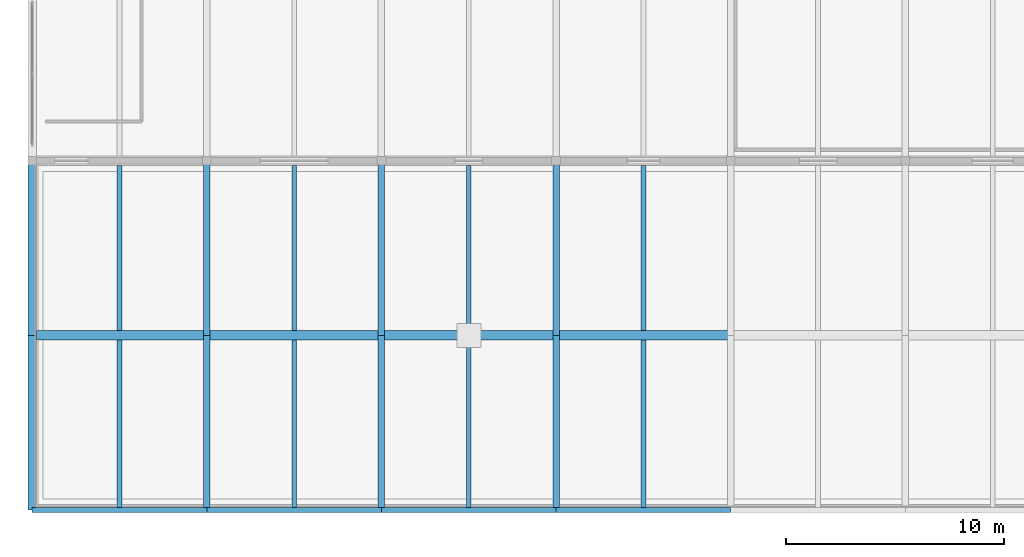
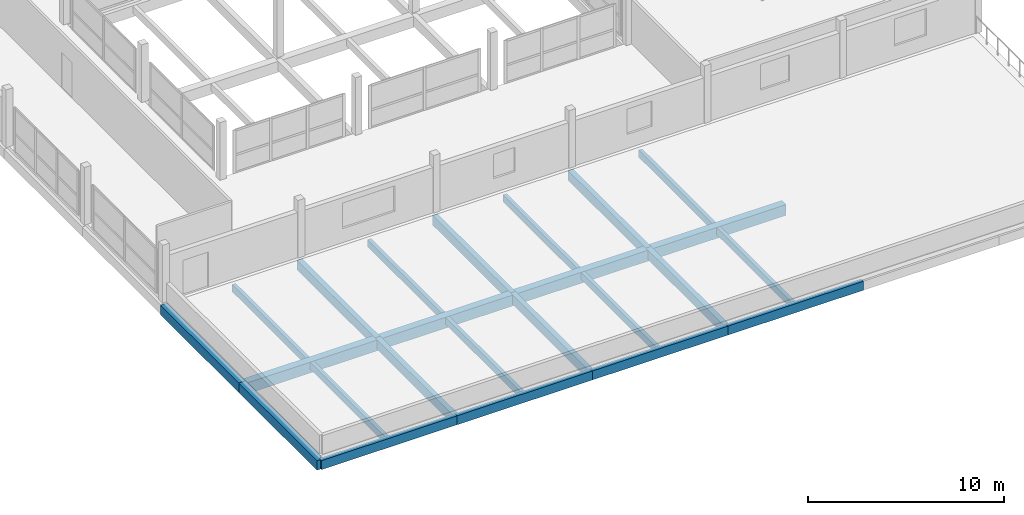
# One storey, part 8 of 51: 24 beams.
"""IFC4 building model written with IfcOpenShell, lengths in metres."""

from ifc_helpers import new_model, si_unit, direction, frame, origin, origin_2d, place, context, subcontext, project, spatial, rectangle, extrude, material, material_profile, profile_set, type_object, element, save


model = new_model("IFC4")

# Units and contexts
model_context = context("Model", 3, precision=1e-05, world=origin(), true_north=direction((0.0, 1.0)))
body_context = subcontext(model_context, "Body", "Model", "MODEL_VIEW")
ifc_project = project(units=[si_unit("LENGTHUNIT", "METRE"), si_unit("AREAUNIT", "SQUARE_METRE"), si_unit("VOLUMEUNIT", "CUBIC_METRE"), si_unit("PLANEANGLEUNIT", "RADIAN"), si_unit("MASSUNIT", "GRAM", prefix="KILO")], contexts=[model_context])

# Site, building, storey
site_placement = place(None, origin())
site = spatial("IfcSite", under=ifc_project, at=site_placement, CompositionType="ELEMENT")
building_placement = place(site_placement, origin())
building = spatial("IfcBuilding", under=site, at=building_placement, Name="Vharandega Faculty of Natural Sciences", CompositionType="ELEMENT")
storey_placement = place(building_placement, frame((0.0, 0.0, 18.0)))
storey = spatial("IfcBuildingStorey", under=building, at=storey_placement, Name="L04", CompositionType="ELEMENT", Elevation=18.0)

# Beams
ifc_material_1 = material(Name="Glulam GL28h", Category="wood")
ifc_material_profile_1 = material_profile(ifc_material_1, rectangle(XDim=0.300048828125, YDim=0.60009765625, at=origin_2d()), Name="GL28h 300x600")
ifc_profile_set_1 = profile_set([ifc_material_profile_1], Name="Glulam GL28h")
beam_type_1 = type_object("IfcBeamType", Name="Glulam Floor Beam 300x600", PredefinedType="BEAM", material=ifc_profile_set_1)
for number, where, z_axis, x_axis, name in (
    (1, (8.0, 0.0, -0.56005859375), (0.0, 1.0, 0.0), (-1.0, 0.0, 0.0), "Beam L04 2/A-B"),
    (2, (8.0, 8.0, -0.56005859375), (0.0, 1.0, 0.0), (-1.0, 0.0, 0.0), "Beam L04 2/B-C"),
    (3, (16.0, 0.0, -0.56005859375), (0.0, 1.0, 0.0), (-1.0, 0.0, 0.0), "Beam L04 3/A-B"),
    (4, (16.0, 8.0, -0.56005859375), (0.0, 1.0, 0.0), (-1.0, 0.0, 0.0), "Beam L04 3/B-C"),
    (5, (24.0, 0.0, -0.56005859375), (0.0, 1.0, 0.0), (-1.0, 0.0, 0.0), "Beam L04 4/A-B"),
    (6, (24.0, 8.0, -0.56005859375), (0.0, 1.0, 0.0), (-1.0, 0.0, 0.0), "Beam L04 4/B-C"),
):
    element("IfcBeam", number, at=place(storey_placement, frame(where, z_axis=z_axis, x_axis=x_axis)), inside=storey, type_object=beam_type_1, Name=name, PredefinedType="BEAM", context=body_context, shape_type="SweptSolid", body=[
        extrude(rectangle(XDim=0.300048828125, YDim=0.60009765625, at=origin_2d()), origin(), (0.0, 0.0, 1.0), 8.0),
    ])
ifc_material_2 = material(Name="Glulam GL32h", Category="wood")
ifc_material_profile_2 = material_profile(ifc_material_2, rectangle(XDim=0.43994140625, YDim=0.679931640625, at=origin_2d()), Name="GL32h 440x680")
ifc_profile_set_2 = profile_set([ifc_material_profile_2], Name="Glulam GL32h")
beam_type_2 = type_object("IfcBeamType", Name="Glulam Girder 440x680", PredefinedType="BEAM", material=ifc_profile_set_2)
for number, where, z_axis, x_axis, name in (
    (7, (0.0, 8.0, -0.60009765625), (1.0, 0.0, 0.0), (0.0, 1.0, 0.0), "Beam L04 B/1-2"),
    (8, (8.0, 8.0, -0.60009765625), (1.0, 0.0, 0.0), (0.0, 1.0, 0.0), "Beam L04 B/2-3"),
    (9, (16.0, 8.0, -0.60009765625), (1.0, 0.0, 0.0), (0.0, 1.0, 0.0), "Beam L04 B/3-4"),
    (10, (24.0, 8.0, -0.60009765625), (1.0, 0.0, 0.0), (0.0, 1.0, 0.0), "Beam L04 B/4-5"),
):
    element("IfcBeam", number, at=place(storey_placement, frame(where, z_axis=z_axis, x_axis=x_axis)), inside=storey, type_object=beam_type_2, Name=name, PredefinedType="BEAM", context=body_context, shape_type="SweptSolid", body=[
        extrude(rectangle(XDim=0.43994140625, YDim=0.679931640625, at=origin_2d()), origin(), (0.0, 0.0, 1.0), 8.0),
    ])
ifc_material_3 = material(Name="Glulam GL28h", Category="wood")
ifc_material_profile_3 = material_profile(ifc_material_3, rectangle(XDim=0.219970703125, YDim=0.43994140625, at=origin_2d()), Name="GL28h 220x440")
ifc_profile_set_3 = profile_set([ifc_material_profile_3], Name="Glulam GL28h")
beam_type_3 = type_object("IfcBeamType", Name="Glulam Secondary Joist 220x440", PredefinedType="JOIST", material=ifc_profile_set_3)
beam_1_placement = place(storey_placement, frame((4.0, 0.1201171875, -0.47998046875), z_axis=(0.0, 1.0, 0.0), x_axis=(-1.0, 0.0, 0.0)))
element("IfcBeam", 11, at=beam_1_placement, inside=storey, type_object=beam_type_3, Name="Secondary Joist L04 1-2/A-B", PredefinedType="JOIST", context=body_context, shape_type="SweptSolid", body=[
    extrude(rectangle(XDim=0.219970703125, YDim=0.43994140625, at=origin_2d()), origin(), (0.0, 0.0, 1.0), 7.659912109375),
])
beam_2_placement = place(storey_placement, frame((4.0, 8.219970703125, -0.47998046875), z_axis=(0.0, 1.0, 0.0), x_axis=(-1.0, 0.0, 0.0)))
element("IfcBeam", 12, at=beam_2_placement, inside=storey, type_object=beam_type_3, Name="Secondary Joist L04 1-2/B-C", PredefinedType="JOIST", context=body_context, shape_type="SweptSolid", body=[
    extrude(rectangle(XDim=0.219970703125, YDim=0.43994140625, at=origin_2d()), origin(), (0.0, 0.0, 1.0), 7.56005859375),
])
beam_3_placement = place(storey_placement, frame((12.0, 0.1201171875, -0.47998046875), z_axis=(0.0, 1.0, 0.0), x_axis=(-1.0, 0.0, 0.0)))
element("IfcBeam", 13, at=beam_3_placement, inside=storey, type_object=beam_type_3, Name="Secondary Joist L04 2-3/A-B", PredefinedType="JOIST", context=body_context, shape_type="SweptSolid", body=[
    extrude(rectangle(XDim=0.219970703125, YDim=0.43994140625, at=origin_2d()), origin(), (0.0, 0.0, 1.0), 7.659912109375),
])
beam_4_placement = place(storey_placement, frame((12.0, 8.219970703125, -0.47998046875), z_axis=(0.0, 1.0, 0.0), x_axis=(-1.0, 0.0, 0.0)))
element("IfcBeam", 14, at=beam_4_placement, inside=storey, type_object=beam_type_3, Name="Secondary Joist L04 2-3/B-C", PredefinedType="JOIST", context=body_context, shape_type="SweptSolid", body=[
    extrude(rectangle(XDim=0.219970703125, YDim=0.43994140625, at=origin_2d()), origin(), (0.0, 0.0, 1.0), 7.56005859375),
])
beam_5_placement = place(storey_placement, frame((20.0, 0.1201171875, -0.47998046875), z_axis=(0.0, 1.0, 0.0), x_axis=(-1.0, 0.0, 0.0)))
element("IfcBeam", 15, at=beam_5_placement, inside=storey, type_object=beam_type_3, Name="Secondary Joist L04 3-4/A-B", PredefinedType="JOIST", context=body_context, shape_type="SweptSolid", body=[
    extrude(rectangle(XDim=0.219970703125, YDim=0.43994140625, at=origin_2d()), origin(), (0.0, 0.0, 1.0), 7.659912109375),
])
beam_6_placement = place(storey_placement, frame((20.0, 8.219970703125, -0.47998046875), z_axis=(0.0, 1.0, 0.0), x_axis=(-1.0, 0.0, 0.0)))
element("IfcBeam", 16, at=beam_6_placement, inside=storey, type_object=beam_type_3, Name="Secondary Joist L04 3-4/B-C", PredefinedType="JOIST", context=body_context, shape_type="SweptSolid", body=[
    extrude(rectangle(XDim=0.219970703125, YDim=0.43994140625, at=origin_2d()), origin(), (0.0, 0.0, 1.0), 7.56005859375),
])
beam_7_placement = place(storey_placement, frame((28.0, 0.1201171875, -0.47998046875), z_axis=(0.0, 1.0, 0.0), x_axis=(-1.0, 0.0, 0.0)))
element("IfcBeam", 17, at=beam_7_placement, inside=storey, type_object=beam_type_3, Name="Secondary Joist L04 4-5/A-B", PredefinedType="JOIST", context=body_context, shape_type="SweptSolid", body=[
    extrude(rectangle(XDim=0.219970703125, YDim=0.43994140625, at=origin_2d()), origin(), (0.0, 0.0, 1.0), 7.659912109375),
])
beam_8_placement = place(storey_placement, frame((28.0, 8.219970703125, -0.47998046875), z_axis=(0.0, 1.0, 0.0), x_axis=(-1.0, 0.0, 0.0)))
element("IfcBeam", 18, at=beam_8_placement, inside=storey, type_object=beam_type_3, Name="Secondary Joist L04 4-5/B-C", PredefinedType="JOIST", context=body_context, shape_type="SweptSolid", body=[
    extrude(rectangle(XDim=0.219970703125, YDim=0.43994140625, at=origin_2d()), origin(), (0.0, 0.0, 1.0), 7.56005859375),
])
ifc_material_4 = material(Name="Glulam GL28h", Category="wood")
ifc_material_profile_4 = material_profile(ifc_material_4, rectangle(XDim=0.239990234375, YDim=0.56005859375, at=origin_2d()), Name="GL28h 240x560")
ifc_profile_set_4 = profile_set([ifc_material_profile_4], Name="Glulam GL28h")
beam_type_4 = type_object("IfcBeamType", Name="Glulam Spandrel Edge Beam 240x560", PredefinedType="SPANDREL", material=ifc_profile_set_4)
for number, where, z_axis, x_axis, name in (
    (19, (0.0, 0.0, -0.5400390625), (1.0, 0.0, 0.0), (0.0, 1.0, 0.0), "Beam L04 A/1-2"),
    (20, (8.0, 0.0, -0.5400390625), (1.0, 0.0, 0.0), (0.0, 1.0, 0.0), "Beam L04 A/2-3"),
    (21, (16.0, 0.0, -0.5400390625), (1.0, 0.0, 0.0), (0.0, 1.0, 0.0), "Beam L04 A/3-4"),
    (22, (24.0, 0.0, -0.5400390625), (1.0, 0.0, 0.0), (0.0, 1.0, 0.0), "Beam L04 A/4-5"),
):
    element("IfcBeam", number, at=place(storey_placement, frame(where, z_axis=z_axis, x_axis=x_axis)), inside=storey, type_object=beam_type_4, Name=name, PredefinedType="SPANDREL", context=body_context, shape_type="SweptSolid", body=[
        extrude(rectangle(XDim=0.239990234375, YDim=0.56005859375, at=origin_2d()), origin(), (0.0, 0.0, 1.0), 8.0),
    ])
ifc_material_5 = material(Name="Glulam GL32h", Category="wood")
ifc_material_profile_5 = material_profile(ifc_material_5, rectangle(XDim=0.39990234375, YDim=0.60009765625, at=origin_2d()), Name="GL32h 400x600")
ifc_profile_set_5 = profile_set([ifc_material_profile_5], Name="Glulam GL32h")
beam_type_5 = type_object("IfcBeamType", Name="Glulam Spine Girder 400x600", PredefinedType="BEAM", material=ifc_profile_set_5)
for number, where, z_axis, x_axis, name in (
    (23, (0.0, 0.0, -0.56005859375), (0.0, 1.0, 0.0), (-1.0, 0.0, 0.0), "Beam L04 1/A-B"),
    (24, (0.0, 8.0, -0.56005859375), (0.0, 1.0, 0.0), (-1.0, 0.0, 0.0), "Beam L04 1/B-C"),
):
    element("IfcBeam", number, at=place(storey_placement, frame(where, z_axis=z_axis, x_axis=x_axis)), inside=storey, type_object=beam_type_5, Name=name, PredefinedType="BEAM", context=body_context, shape_type="SweptSolid", body=[
        extrude(rectangle(XDim=0.39990234375, YDim=0.60009765625, at=origin_2d()), origin(), (0.0, 0.0, 1.0), 8.0),
    ])

save(model, "model.ifc")
